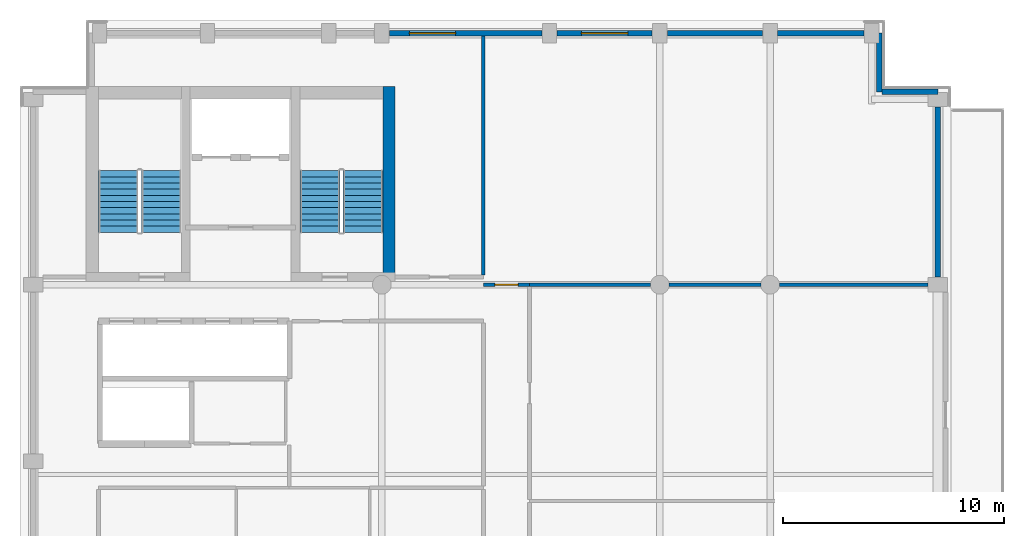
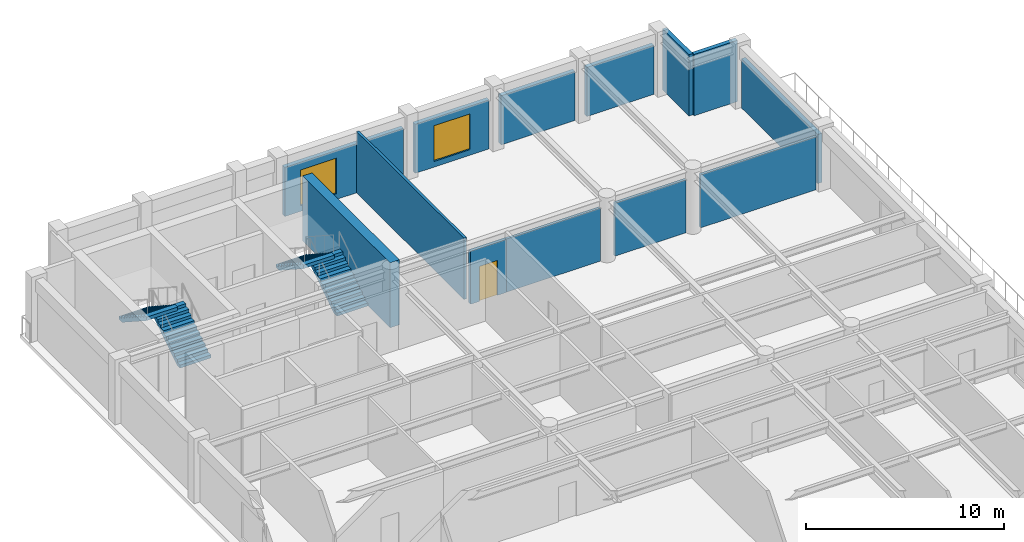
# One storey, part 6 of 9: 13 walls, 4 stair flights, 2 windows, 1 door, 3 openings, 2 elements without a shape of their own.
"""IFC4 building model written with IfcOpenShell, lengths in metres."""

from ifc_helpers import new_model, si_unit, direction, frame, frame_2d, origin, place, context, subcontext, project, spatial, polyline, rectangle, outline, extrude, material, layer, layer_set, type_object, element, fill, aggregate, save


model = new_model("IFC4")

# Units and contexts
model_context = context("Model", 3, precision=1e-05, world=origin(), true_north=direction((0.0, 1.0)))
body_context = subcontext(model_context, "Body", "Model", "MODEL_VIEW")
ifc_project = project(units=[si_unit("LENGTHUNIT", "METRE"), si_unit("AREAUNIT", "SQUARE_METRE"), si_unit("VOLUMEUNIT", "CUBIC_METRE"), si_unit("PLANEANGLEUNIT", "RADIAN"), si_unit("MASSUNIT", "GRAM", prefix="KILO")], contexts=[model_context])

# Site, building, storey
site_placement = place(None, origin())
site = spatial("IfcSite", under=ifc_project, at=site_placement, CompositionType="ELEMENT")
building_placement = place(site_placement, origin())
building = spatial("IfcBuilding", under=site, at=building_placement, Name="Sulina Concourse Tower", CompositionType="ELEMENT")
storey_placement = place(building_placement, frame((0.0, 0.0, 297.0)))
storey = spatial("IfcBuildingStorey", under=building, at=storey_placement, Name="L72", CompositionType="ELEMENT", Elevation=297.0)

# Wall, opening, window
ifc_material_1 = material(Name="Precast concrete C50/60", Category="concrete")
ifc_layer_1 = layer(ifc_material_1, 0.239990234375)
ifc_layer_set_1 = layer_set([ifc_layer_1], Name="Precast concrete C50/60")
wall_type_1 = type_object("IfcWallType", Name="Crown Precast Masonry-Frame Facade Wall 240mm", PredefinedType="SOLIDWALL", material=ifc_layer_set_1)
wall_1_placement = place(storey_placement, frame((16.7451171875, 45.39990234375, 0.0), z_axis=(0.0, 0.0, 1.0), x_axis=(1.0, 0.0, 0.0)))
wall_1 = element("IfcWall", 1, at=wall_1_placement, inside=storey, type_object=wall_type_1, Name="L72 exterior precast wall N4", PredefinedType="SOLIDWALL", context=body_context, shape_type="SweptSolid", body=[
    extrude(rectangle(XDim=6.909912109375, YDim=0.239990234375, at=frame_2d((3.455078125, 0.0))), origin(), (0.0, 0.0, 1.0), 3.02490234375),
])
opening_1_placement = place(wall_1_placement, frame((0.9033203125, 0.0, 0.35009765625)))
opening_1 = element("IfcOpeningElement", 2, at=opening_1_placement, cuts=wall_1, Name="Opening WN-33", PredefinedType="OPENING", context=body_context, shape_type="SweptSolid", body=[
    extrude(rectangle(XDim=2.10009765625, YDim=2.199951171875, at=frame_2d((1.050048828125, 1.10009765625))), frame((0.0, 0.1298828125, 0.0), z_axis=(0.0, -1.0, 0.0), x_axis=(1.0, 0.0, 0.0)), (0.0, 0.0, 1.0), 0.260009765625),
])
ifc_material_2 = material(Name="Low-E solar double glazing in bronze aluminium", Category="aluminium")
window_type = type_object("IfcWindowType", Name="Punched Masonry-Frame Window 2100x2200", PartitioningType="DOUBLE_PANEL_VERTICAL", PredefinedType="WINDOW", material=ifc_material_2)
window_1_placement = place(opening_1_placement, origin())
window_1 = element("IfcWindow", 3, at=window_1_placement, inside=storey, type_object=window_type, Name="L72 punched window N4-1", OverallHeight=2.199951171875, OverallWidth=2.10009765625, PartitioningType="SINGLE_PANEL", PredefinedType="WINDOW", context=body_context, shape_type="SweptSolid", body=[
    extrude(rectangle(XDim=2.10009765625, YDim=2.199951171875, at=frame_2d((1.050048828125, 1.10009765625))), frame((0.0, 0.030029296875, 0.0), z_axis=(0.0, -1.0, 0.0), x_axis=(1.0, 0.0, 0.0)), (0.0, 0.0, 1.0), 0.06005859375),
])
fill(opening_1, window_1)

wall_2_placement = place(storey_placement, frame((24.344970703125, 45.39990234375, 0.0), z_axis=(0.0, 0.0, 1.0), x_axis=(1.0, 0.0, 0.0)))
wall_2 = element("IfcWall", 4, at=wall_2_placement, inside=storey, type_object=wall_type_1, Name="L72 exterior precast wall N5", PredefinedType="SOLIDWALL", context=body_context, shape_type="SweptSolid", body=[
    extrude(rectangle(XDim=4.31005859375, YDim=0.239990234375, at=frame_2d((2.155029296875, 0.0))), origin(), (0.0, 0.0, 1.0), 3.02490234375),
])
opening_2_placement = place(wall_2_placement, frame((1.10498046875, 0.0, 0.35009765625)))
opening_2 = element("IfcOpeningElement", 5, at=opening_2_placement, cuts=wall_2, Name="Opening WN-33", PredefinedType="OPENING", context=body_context, shape_type="SweptSolid", body=[
    extrude(rectangle(XDim=2.10009765625, YDim=2.199951171875, at=frame_2d((1.050048828125, 1.10009765625))), frame((0.0, 0.1298828125, 0.0), z_axis=(0.0, -1.0, 0.0), x_axis=(1.0, 0.0, 0.0)), (0.0, 0.0, 1.0), 0.260009765625),
])
window_2_placement = place(opening_2_placement, origin())
window_2 = element("IfcWindow", 6, at=window_2_placement, inside=storey, type_object=window_type, Name="L72 punched window N5-1", OverallHeight=2.199951171875, OverallWidth=2.10009765625, PartitioningType="SINGLE_PANEL", PredefinedType="WINDOW", context=body_context, shape_type="SweptSolid", body=[
    extrude(rectangle(XDim=2.10009765625, YDim=2.199951171875, at=frame_2d((1.050048828125, 1.10009765625))), frame((0.0, 0.030029296875, 0.0), z_axis=(0.0, -1.0, 0.0), x_axis=(1.0, 0.0, 0.0)), (0.0, 0.0, 1.0), 0.06005859375),
])
fill(opening_2, window_2)

# Walls
wall_3_placement = place(storey_placement, frame((29.344970703125, 45.39990234375, 0.0), z_axis=(0.0, 0.0, 1.0), x_axis=(1.0, 0.0, 0.0)))
element("IfcWall", 7, at=wall_3_placement, inside=storey, type_object=wall_type_1, Name="L72 exterior precast wall N6", PredefinedType="SOLIDWALL", context=body_context, shape_type="SweptSolid", body=[
    extrude(rectangle(XDim=4.31005859375, YDim=0.239990234375, at=frame_2d((2.155029296875, 0.0))), origin(), (0.0, 0.0, 1.0), 3.02490234375),
])
wall_4_placement = place(storey_placement, frame((34.344970703125, 45.39990234375, 0.0), z_axis=(0.0, 0.0, 1.0), x_axis=(1.0, 0.0, 0.0)))
element("IfcWall", 8, at=wall_4_placement, inside=storey, type_object=wall_type_1, Name="L72 exterior precast wall N7", PredefinedType="SOLIDWALL", context=body_context, shape_type="SweptSolid", body=[
    extrude(rectangle(XDim=3.909912109375, YDim=0.239990234375, at=frame_2d((1.955078125, 0.0))), origin(), (0.0, 0.0, 1.0), 3.02490234375),
])
wall_5_placement = place(storey_placement, frame((41.60009765625, 42.054931640625, 0.0), z_axis=(0.0, 0.0, 1.0), x_axis=(0.0, -1.0, 0.0)))
element("IfcWall", 9, at=wall_5_placement, inside=storey, type_object=wall_type_1, Name="L72 exterior precast wall E3", PredefinedType="SOLIDWALL", context=body_context, shape_type="SweptSolid", body=[
    extrude(rectangle(XDim=7.7099609375, YDim=0.239990234375, at=frame_2d((3.85498046875, 0.0))), origin(), (0.0, 0.0, 1.0), 3.02490234375),
])
wall_6_placement = place(storey_placement, frame((38.945068359375, 45.39990234375, 0.0), z_axis=(0.0, 0.0, 1.0), x_axis=(0.0, -1.0, 0.0)))
element("IfcWall", 10, at=wall_6_placement, inside=storey, type_object=wall_type_1, Name="L72 exterior precast wall CNE1", PredefinedType="SOLIDWALL", context=body_context, shape_type="SweptSolid", body=[
    extrude(rectangle(XDim=2.65478515625, YDim=0.239990234375, at=frame_2d((1.327392578125, 0.0))), origin(), (0.0, 0.0, 1.0), 3.77490234375),
])
wall_7_placement = place(storey_placement, frame((39.070068359375, 42.7451171875, 0.0), z_axis=(0.0, 0.0, 1.0), x_axis=(1.0, 0.0, 0.0)))
element("IfcWall", 11, at=wall_7_placement, inside=storey, type_object=wall_type_1, Name="L72 exterior precast wall CNE2", PredefinedType="SOLIDWALL", context=body_context, shape_type="SweptSolid", body=[
    extrude(rectangle(XDim=2.530029296875, YDim=0.239990234375, at=frame_2d((1.26513671875, 0.0))), origin(), (0.0, 0.0, 1.0), 3.77490234375),
])
ifc_material_3 = material(Name="Gypsum board on steel stud", Category="steel")
ifc_layer_2 = layer(ifc_material_3, 0.14990234375)
ifc_layer_set_2 = layer_set([ifc_layer_2], Name="Gypsum board on steel stud")
wall_type_2 = type_object("IfcWallType", Name="Inter-Tenancy Acoustic Partition 150mm", PredefinedType="PARTITIONING", material=ifc_layer_set_2)
wall_8_placement = place(storey_placement, frame((23.10009765625, 34.0, 0.0), z_axis=(0.0, 0.0, 1.0), x_axis=(1.0, 0.0, 0.0)))
element("IfcWall", 12, at=wall_8_placement, inside=storey, type_object=wall_type_2, Name="L72 interior partition 019", PredefinedType="PARTITIONING", context=body_context, shape_type="SweptSolid", body=[
    extrude(rectangle(XDim=5.474853515625, YDim=0.14990234375, at=frame_2d((2.7373046875, 0.0))), origin(), (0.0, 0.0, 1.0), 3.27001953125),
])
wall_9_placement = place(storey_placement, frame((29.425048828125, 34.0, 0.0), z_axis=(0.0, 0.0, 1.0), x_axis=(1.0, 0.0, 0.0)))
element("IfcWall", 13, at=wall_9_placement, inside=storey, type_object=wall_type_2, Name="L72 interior partition 020", PredefinedType="PARTITIONING", context=body_context, shape_type="SweptSolid", body=[
    extrude(rectangle(XDim=4.14990234375, YDim=0.14990234375, at=frame_2d((2.074951171875, 0.0))), origin(), (0.0, 0.0, 1.0), 3.27001953125),
])
wall_10_placement = place(storey_placement, frame((34.425048828125, 34.0, 0.0), z_axis=(0.0, 0.0, 1.0), x_axis=(1.0, 0.0, 0.0)))
element("IfcWall", 14, at=wall_10_placement, inside=storey, type_object=wall_type_2, Name="L72 interior partition 021", PredefinedType="PARTITIONING", context=body_context, shape_type="SweptSolid", body=[
    extrude(rectangle(XDim=6.724853515625, YDim=0.14990234375, at=frame_2d((3.3623046875, 0.0))), origin(), (0.0, 0.0, 1.0), 3.27001953125),
])
wall_11_placement = place(storey_placement, frame((21.0, 34.43994140625, 0.0), z_axis=(0.0, 0.0, 1.0), x_axis=(0.0, 1.0, 0.0)))
element("IfcWall", 15, at=wall_11_placement, inside=storey, type_object=wall_type_2, Name="L72 interior partition 032", PredefinedType="PARTITIONING", context=body_context, shape_type="SweptSolid", body=[
    extrude(rectangle(XDim=10.840087890625, YDim=0.14990234375, at=frame_2d((5.419921875, 0.0))), origin(), (0.0, 0.0, 1.0), 3.77490234375),
])

# Wall, opening, door
ifc_material_4 = material(Name="Gypsum board on steel stud", Category="steel")
ifc_layer_3 = layer(ifc_material_4, 0.179931640625)
ifc_layer_set_3 = layer_set([ifc_layer_3], Name="Gypsum board on steel stud")
wall_type_3 = type_object("IfcWallType", Name="Protected Corridor & Riser Partition 180mm", PredefinedType="PARTITIONING", material=ifc_layer_set_3)
wall_12_placement = place(storey_placement, frame((21.0, 34.0, 0.0), z_axis=(0.0, 0.0, 1.0), x_axis=(1.0, 0.0, 0.0)))
wall_12 = element("IfcWall", 16, at=wall_12_placement, inside=storey, type_object=wall_type_3, Name="L72 interior partition 018", PredefinedType="PARTITIONING", context=body_context, shape_type="SweptSolid", body=[
    extrude(rectangle(XDim=2.10009765625, YDim=0.179931640625, at=frame_2d((1.050048828125, 0.0))), origin(), (0.0, 0.0, 1.0), 3.27001953125),
])
opening_3_placement = place(wall_12_placement, frame((0.52490234375, 0.0, 0.0)))
opening_3 = element("IfcOpeningElement", 17, at=opening_3_placement, cuts=wall_12, Name="Opening DR-37", PredefinedType="OPENING", context=body_context, shape_type="SweptSolid", body=[
    extrude(rectangle(XDim=1.050048828125, YDim=2.14990234375, at=frame_2d((0.52490234375, 1.074951171875))), frame((0.0, 0.099853515625, 0.0), z_axis=(0.0, -1.0, 0.0), x_axis=(1.0, 0.0, 0.0)), (0.0, 0.0, 1.0), 0.199951171875),
])
ifc_material_5 = material(Name="Oak-veneered fire door leaf")
ifc_layer_4 = layer(ifc_material_5, 0.050048828125)
ifc_layer_set_4 = layer_set([ifc_layer_4], Name="Oak-veneered fire door leaf")
door_type = type_object("IfcDoorType", Name="Tenant Suite Entrance Fire Door 1050x2150", OperationType="NOTDEFINED", PredefinedType="DOOR", material=ifc_layer_set_4)
door_placement = place(opening_3_placement, origin())
door = element("IfcDoor", 18, at=door_placement, inside=storey, type_object=door_type, Name="L72 interior door L72-CR-N2", OperationType="SINGLE_SWING_LEFT", OverallHeight=2.14990234375, OverallWidth=1.050048828125, PredefinedType="DOOR", context=body_context, shape_type="SweptSolid", body=[
    extrude(rectangle(XDim=1.050048828125, YDim=2.14990234375, at=frame_2d((0.52490234375, 1.074951171875))), frame((0.0, 0.02490234375, 0.0), z_axis=(0.0, -1.0, 0.0), x_axis=(1.0, 0.0, 0.0)), (0.0, 0.0, 1.0), 0.050048828125),
])
fill(opening_3, door)

# Wall
ifc_material_6 = material(Name="Concrete C50/60", Category="concrete")
ifc_layer_5 = layer(ifc_material_6, 0.550048828125)
ifc_layer_set_5 = layer_set([ifc_layer_5], Name="Concrete C50/60")
wall_type_4 = type_object("IfcWallType", Name="Upper Core Shear Wall 550mm", PredefinedType="SHEAR", material=ifc_layer_set_5)
wall_13_placement = place(storey_placement, frame((16.72509765625, 34.14990234375, 0.0), z_axis=(0.0, 0.0, 1.0), x_axis=(0.0, 1.0, 0.0)))
element("IfcWall", 19, at=wall_13_placement, inside=storey, type_object=wall_type_4, Name="L72 west core shear wall CW-WE", PredefinedType="SHEAR", context=body_context, shape_type="SweptSolid", body=[
    extrude(rectangle(XDim=8.830078125, YDim=0.550048828125, at=frame_2d((4.4150390625, 0.0))), origin(), (0.0, 0.0, 1.0), 4.0),
])

# Stair, stair flights
ifc_material_7 = material(Name="Concrete C50/60", Category="concrete")
stair_type = type_object("IfcStairType", Name="Primary Core Dog-Leg Exit Stair 1800mm", PredefinedType="HALF_TURN_STAIR", material=ifc_material_7)
stair_1_placement = place(storey_placement, origin())
stair_1 = element("IfcStair", 20, at=stair_1_placement, inside=storey, type_object=stair_type, Name="L72 ST-1", PredefinedType="HALF_TURN_STAIR")
ifc_material_8 = material(Name="Concrete C50/60", Category="concrete")
stair_flight_type = type_object("IfcStairFlightType", Name="Primary Core Dog-Leg Exit Stair 1800mm Flight", PredefinedType="STRAIGHT", material=ifc_material_8)
stair_flight_1_placement = place(storey_placement, frame((6.405029296875, 36.375, 0.0), z_axis=(0.0, 0.0, 1.0), x_axis=(0.0, 1.0, 0.0)))
stair_flight_1 = element("IfcStairFlight", 21, at=stair_flight_1_placement, type_object=stair_flight_type, Name="ST-1 flight 1", NumberOfRisers=11, NumberOfTreads=10, PredefinedType="STRAIGHT", RiserHeight=0.181818182, TreadLength=0.28, context=body_context, shape_type="SweptSolid", body=[
    extrude(outline(polyline([(0.0, 0.0), (0.0, 0.181884765625), (0.280029296875, 0.181884765625), (0.280029296875, 0.363525390625), (0.56005859375, 0.363525390625), (0.56005859375, 0.54541015625), (0.840087890625, 0.54541015625), (0.840087890625, 0.727294921875), (1.1201171875, 0.727294921875), (1.1201171875, 0.9091796875), (1.39990234375, 0.9091796875), (1.39990234375, 1.0908203125), (1.679931640625, 1.0908203125), (1.679931640625, 1.272705078125), (1.9599609375, 1.272705078125), (1.9599609375, 1.45458984375), (2.239990234375, 1.45458984375), (2.239990234375, 1.636474609375), (2.52001953125, 1.636474609375), (2.52001953125, 1.818115234375), (2.800048828125, 1.818115234375), (2.800048828125, 2.0), (2.800048828125, 1.603759765625), (0.330322265625, 0.0), (0.0, 0.0)])), frame((0.0, 0.89990234375, 0.0), z_axis=(0.0, -1.0, 0.0), x_axis=(1.0, 0.0, 0.0)), (0.0, 0.0, 1.0), 1.800048828125),
])
stair_flight_2_placement = place(storey_placement, frame((4.455078125, 39.175048828125, 2.0), z_axis=(0.0, 0.0, 1.0), x_axis=(0.0, -1.0, 0.0)))
stair_flight_2 = element("IfcStairFlight", 22, at=stair_flight_2_placement, type_object=stair_flight_type, Name="ST-1 flight 2", NumberOfRisers=11, NumberOfTreads=10, PredefinedType="STRAIGHT", RiserHeight=0.181818182, TreadLength=0.28, context=body_context, shape_type="SweptSolid", body=[
    extrude(outline(polyline([(0.0, 0.0), (0.0, 0.181884765625), (0.280029296875, 0.181884765625), (0.280029296875, 0.363525390625), (0.56005859375, 0.363525390625), (0.56005859375, 0.54541015625), (0.840087890625, 0.54541015625), (0.840087890625, 0.727294921875), (1.1201171875, 0.727294921875), (1.1201171875, 0.9091796875), (1.39990234375, 0.9091796875), (1.39990234375, 1.0908203125), (1.679931640625, 1.0908203125), (1.679931640625, 1.272705078125), (1.9599609375, 1.272705078125), (1.9599609375, 1.45458984375), (2.239990234375, 1.45458984375), (2.239990234375, 1.636474609375), (2.52001953125, 1.636474609375), (2.52001953125, 1.818115234375), (2.800048828125, 1.818115234375), (2.800048828125, 2.0), (2.800048828125, 1.603759765625), (0.330322265625, 0.0), (0.0, 0.0)])), frame((0.0, 0.89990234375, 0.0), z_axis=(0.0, -1.0, 0.0), x_axis=(1.0, 0.0, 0.0)), (0.0, 0.0, 1.0), 1.800048828125),
])
aggregate(stair_1, [stair_flight_1, stair_flight_2])

stair_2_placement = place(storey_placement, origin())
stair_2 = element("IfcStair", 23, at=stair_2_placement, inside=storey, type_object=stair_type, Name="L72 ST-2", PredefinedType="HALF_TURN_STAIR")
stair_flight_3_placement = place(storey_placement, frame((15.544921875, 36.375, 0.0), z_axis=(0.0, 0.0, 1.0), x_axis=(0.0, 1.0, 0.0)))
stair_flight_3 = element("IfcStairFlight", 24, at=stair_flight_3_placement, type_object=stair_flight_type, Name="ST-2 flight 1", NumberOfRisers=11, NumberOfTreads=10, PredefinedType="STRAIGHT", RiserHeight=0.181818182, TreadLength=0.28, context=body_context, shape_type="SweptSolid", body=[
    extrude(outline(polyline([(0.0, 0.0), (0.0, 0.181884765625), (0.280029296875, 0.181884765625), (0.280029296875, 0.363525390625), (0.56005859375, 0.363525390625), (0.56005859375, 0.54541015625), (0.840087890625, 0.54541015625), (0.840087890625, 0.727294921875), (1.1201171875, 0.727294921875), (1.1201171875, 0.9091796875), (1.39990234375, 0.9091796875), (1.39990234375, 1.0908203125), (1.679931640625, 1.0908203125), (1.679931640625, 1.272705078125), (1.9599609375, 1.272705078125), (1.9599609375, 1.45458984375), (2.239990234375, 1.45458984375), (2.239990234375, 1.636474609375), (2.52001953125, 1.636474609375), (2.52001953125, 1.818115234375), (2.800048828125, 1.818115234375), (2.800048828125, 2.0), (2.800048828125, 1.603759765625), (0.330322265625, 0.0), (0.0, 0.0)])), frame((0.0, 0.89990234375, 0.0), z_axis=(0.0, -1.0, 0.0), x_axis=(1.0, 0.0, 0.0)), (0.0, 0.0, 1.0), 1.800048828125),
])
stair_flight_4_placement = place(storey_placement, frame((13.594970703125, 39.175048828125, 2.0), z_axis=(0.0, 0.0, 1.0), x_axis=(0.0, -1.0, 0.0)))
stair_flight_4 = element("IfcStairFlight", 25, at=stair_flight_4_placement, type_object=stair_flight_type, Name="ST-2 flight 2", NumberOfRisers=11, NumberOfTreads=10, PredefinedType="STRAIGHT", RiserHeight=0.181818182, TreadLength=0.28, context=body_context, shape_type="SweptSolid", body=[
    extrude(outline(polyline([(0.0, 0.0), (0.0, 0.181884765625), (0.280029296875, 0.181884765625), (0.280029296875, 0.363525390625), (0.56005859375, 0.363525390625), (0.56005859375, 0.54541015625), (0.840087890625, 0.54541015625), (0.840087890625, 0.727294921875), (1.1201171875, 0.727294921875), (1.1201171875, 0.9091796875), (1.39990234375, 0.9091796875), (1.39990234375, 1.0908203125), (1.679931640625, 1.0908203125), (1.679931640625, 1.272705078125), (1.9599609375, 1.272705078125), (1.9599609375, 1.45458984375), (2.239990234375, 1.45458984375), (2.239990234375, 1.636474609375), (2.52001953125, 1.636474609375), (2.52001953125, 1.818115234375), (2.800048828125, 1.818115234375), (2.800048828125, 2.0), (2.800048828125, 1.603759765625), (0.330322265625, 0.0), (0.0, 0.0)])), frame((0.0, 0.89990234375, 0.0), z_axis=(0.0, -1.0, 0.0), x_axis=(1.0, 0.0, 0.0)), (0.0, 0.0, 1.0), 1.800048828125),
])
aggregate(stair_2, [stair_flight_3, stair_flight_4])

save(model, "model.ifc")
